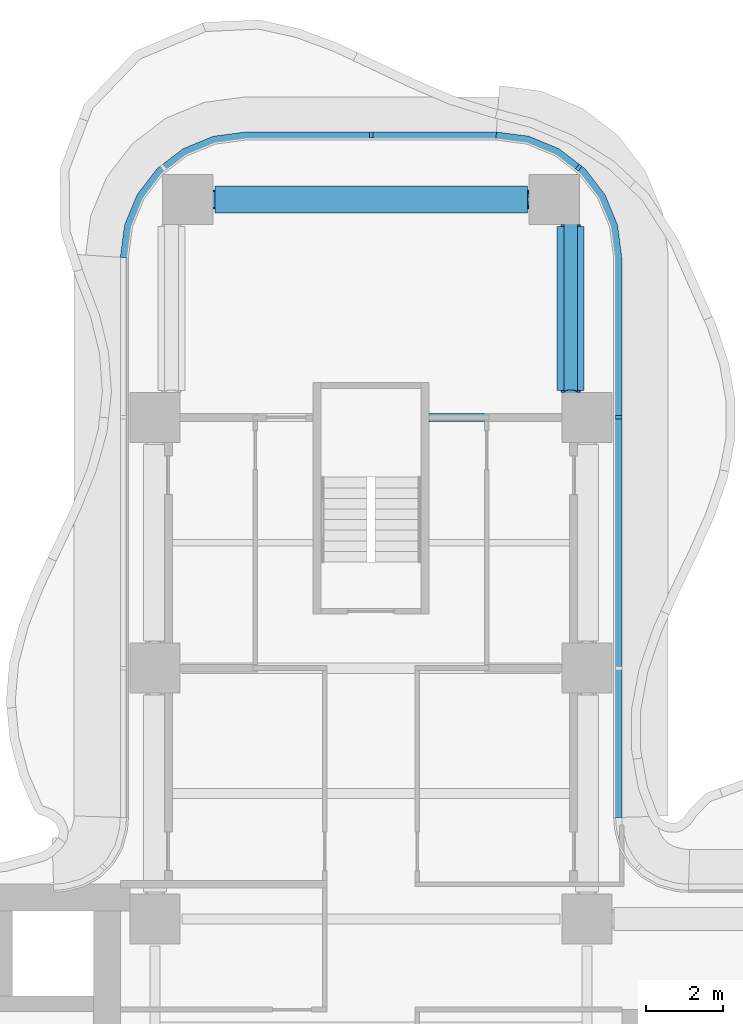
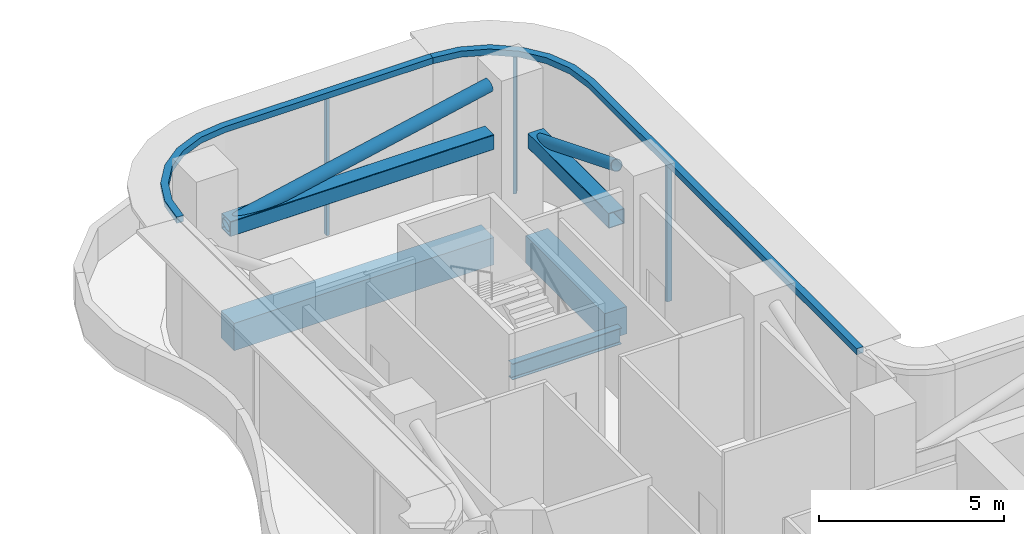
# One storey, part 8 of 20: 7 members, 5 beams, 2 elements without a shape of their own.
"""IFC4 building model written with IfcOpenShell, lengths in metres."""

from ifc_helpers import new_model, si_unit, direction, frame, origin, origin_2d, place, context, subcontext, project, spatial, polyline, rectangle, hollow_rectangle, hollow_circle, i_section, outline, extrude, source, transform, mapped, material, layer, layer_set, material_profile, profile_set, type_object, element, aggregate, save


model = new_model("IFC4")

# Units and contexts
model_context = context("Model", 3, precision=1e-05, world=origin(), true_north=direction((0.0, 1.0)))
body_context = subcontext(model_context, "Body", "Model", "MODEL_VIEW")
ifc_project = project(units=[si_unit("LENGTHUNIT", "METRE"), si_unit("AREAUNIT", "SQUARE_METRE"), si_unit("VOLUMEUNIT", "CUBIC_METRE"), si_unit("PLANEANGLEUNIT", "RADIAN"), si_unit("MASSUNIT", "GRAM", prefix="KILO")], contexts=[model_context])

# Site, building, storey
site_placement = place(None, origin())
site = spatial("IfcSite", under=ifc_project, at=site_placement, CompositionType="ELEMENT")
building_placement = place(site_placement, origin())
building = spatial("IfcBuilding", under=site, at=building_placement, Name="Trellis Farm Tower", CompositionType="ELEMENT")
storey_placement = place(building_placement, frame((0.0, 0.0, 92.5)))
storey = spatial("IfcBuildingStorey", under=building, at=storey_placement, Name="L19", CompositionType="ELEMENT", Elevation=92.5)

# Curtain wall, member
ifc_material_1 = material(Name="Aluminium and glass curtain wall", Category="aluminium")
ifc_layer_1 = layer(ifc_material_1, 0.196044921875)
ifc_layer_set_1 = layer_set([ifc_layer_1], Name="LOUVRED GLASS CURTAIN WALL CW6")
curtain_wall_type = type_object("IfcCurtainWallType", Name="LOUVRED GLASS CURTAIN WALL CW6", PredefinedType="NOTDEFINED", material=ifc_layer_set_1)
placement_1 = place(storey_placement, origin())
curtain_wall_1 = element("IfcCurtainWall", 1, at=placement_1, inside=storey, type_object=curtain_wall_type, Name="CW6 011", PredefinedType="NOTDEFINED")
ifc_material_2 = material(Name="Aluminium extrusion 6063-T6", Category="aluminium")
ifc_layer_2 = layer(ifc_material_2, 0.2099609375)
ifc_layer_set_2 = layer_set([ifc_layer_2], Name="Aluminium extrusion 6063-T6")
member_type_1 = type_object("IfcMemberType", Name="CW6 TRANSOM 210x200", PredefinedType="USERDEFINED", material=ifc_layer_set_2)
placement_2 = place(storey_placement, frame((0.0, 0.0, 4.550048828125)))
member_1 = element("IfcMember", 2, at=placement_2, type_object=member_type_1, Name="TR6 011", ObjectType="TRANSOM", PredefinedType="USERDEFINED", context=body_context, shape_type="SweptSolid", body=[
    extrude(outline(polyline([(6.5, 8.2314453125), (6.5, 22.75), (6.38916015625, 23.591064453125), (6.064697265625, 24.375), (5.548095703125, 25.048095703125), (4.875, 25.564697265625), (4.091064453125, 25.88916015625), (3.25, 26.0), (3.236328125, 25.7900390625), (4.036376953125, 25.6845703125), (4.76904296875, 25.381103515625), (5.3984375, 24.8984375), (5.881103515625, 24.26904296875), (6.1845703125, 23.536376953125), (6.2900390625, 22.736328125), (6.2900390625, 8.224609375), (6.5, 8.2314453125)])), origin(), (0.0, 0.0, 1.0), 0.199951171875),
])

# Beams
ifc_material_3 = material(Name="Steel S355", Category="steel")
ifc_material_profile_1 = material_profile(ifc_material_3, i_section(OverallWidth=0.209228515625, OverallDepth=0.533203125, WebThickness=0.010009765625, FlangeThickness=0.015625, FilletRadius=0.0126953125, at=origin_2d()), Name="UB 533x210x92")
ifc_profile_set_1 = profile_set([ifc_material_profile_1], Name="Steel S355")
beam_type_1 = type_object("IfcBeamType", Name="UB 533x210x92", PredefinedType="BEAM", material=ifc_profile_set_1)
shared_shape_1 = source(origin(), body_context, "Body", "SweptSolid", [
    extrude(i_section(OverallWidth=0.209228515625, OverallDepth=0.533203125, WebThickness=0.010009765625, FlangeThickness=0.015625, FilletRadius=0.0126953125, at=origin_2d()), origin(), (0.0, 0.0, 1.0), 3.39990234375),
])
beam_1_placement = place(storey_placement, frame((1.5, 18.60009765625, -0.56640625), z_axis=(1.0, 0.0, 0.0), x_axis=(0.0, 1.0, 0.0)))
element("IfcBeam", 3, at=beam_1_placement, inside=storey, type_object=beam_type_1, Name="Girder", PredefinedType="BEAM", context=body_context, shape_type="MappedRepresentation", body=[
    mapped(shared_shape_1, transform((0.0, 0.0, 0.0))),
])
ifc_material_4 = material(Name="Concrete C60/75", Category="concrete")
ifc_material_profile_2 = material_profile(ifc_material_4, rectangle(XDim=0.699951171875, YDim=0.89990234375, at=origin_2d()), Name="RC spandrel beam 700x900 C60/75")
ifc_profile_set_2 = profile_set([ifc_material_profile_2], Name="Concrete C60/75")
beam_type_2 = type_object("IfcBeamType", Name="RC spandrel beam 700x900 C60/75", PredefinedType="SPANDREL", material=ifc_profile_set_2)
shared_shape_2 = source(origin(), body_context, "Body", "SweptSolid", [
    extrude(rectangle(XDim=0.699951171875, YDim=0.89990234375, at=origin_2d()), origin(), (0.0, 0.0, 1.0), 4.25),
])
beam_2_placement = place(storey_placement, frame((5.175048828125, 19.300048828125, -0.75), z_axis=(0.0, 1.0, 0.0), x_axis=(-1.0, 0.0, 0.0)))
element("IfcBeam", 4, at=beam_2_placement, inside=storey, type_object=beam_type_2, Name="Girder", PredefinedType="SPANDREL", context=body_context, shape_type="MappedRepresentation", body=[
    mapped(shared_shape_2, transform((0.0, 0.0, 0.0))),
])
shared_shape_3 = source(origin(), body_context, "Body", "SweptSolid", [
    extrude(rectangle(XDim=0.699951171875, YDim=0.89990234375, at=origin_2d()), origin(), (0.0, 0.0, 1.0), 8.10009765625),
])
beam_3_placement = place(storey_placement, frame((-4.050048828125, 24.25, -0.75), z_axis=(1.0, 0.0, 0.0), x_axis=(0.0, 1.0, 0.0)))
element("IfcBeam", 5, at=beam_3_placement, inside=storey, type_object=beam_type_2, Name="Girder", PredefinedType="SPANDREL", context=body_context, shape_type="MappedRepresentation", body=[
    mapped(shared_shape_3, transform((0.0, 0.0, 0.0))),
])
ifc_material_profile_3 = material_profile(ifc_material_3, hollow_rectangle(XDim=0.5, YDim=0.5, WallThickness=0.02001953125, InnerFilletRadius=0.02001953125, OuterFilletRadius=0.030029296875, at=origin_2d()), Name="SHS 500x500x20")
ifc_profile_set_3 = profile_set([ifc_material_profile_3], Name="Steel S355")
beam_type_3 = type_object("IfcBeamType", Name="SHS 500x500x20", PredefinedType="BEAM", material=ifc_profile_set_3)
shared_shape_4 = source(origin(), body_context, "Body", "SweptSolid", [
    extrude(hollow_rectangle(XDim=0.5, YDim=0.5, WallThickness=0.02001953125, InnerFilletRadius=0.02001953125, OuterFilletRadius=0.030029296875, at=origin_2d()), origin(), (0.0, 0.0, 1.0), 4.35009765625),
])
beam_4_placement = place(storey_placement, frame((5.175048828125, 19.25, 2.75), z_axis=(0.0, 1.0, 0.0), x_axis=(-1.0, 0.0, 0.0)))
element("IfcBeam", 6, at=beam_4_placement, inside=storey, type_object=beam_type_3, Name="Outrigger truss chord SHS 500x500x20", PredefinedType="BEAM", context=body_context, shape_type="MappedRepresentation", body=[
    mapped(shared_shape_4, transform((0.0, 0.0, 0.0))),
])
shared_shape_5 = source(origin(), body_context, "Body", "SweptSolid", [
    extrude(hollow_rectangle(XDim=0.5, YDim=0.5, WallThickness=0.02001953125, InnerFilletRadius=0.02001953125, OuterFilletRadius=0.030029296875, at=origin_2d()), origin(), (0.0, 0.0, 1.0), 8.2001953125),
])
beam_5_placement = place(storey_placement, frame((-4.10009765625, 24.25, 2.75), z_axis=(1.0, 0.0, 0.0), x_axis=(0.0, 1.0, 0.0)))
element("IfcBeam", 7, at=beam_5_placement, inside=storey, type_object=beam_type_3, Name="Belt truss chord SHS 500x500x20", PredefinedType="BEAM", context=body_context, shape_type="MappedRepresentation", body=[
    mapped(shared_shape_5, transform((0.0, 0.0, 0.0))),
])

# Members
ifc_material_profile_4 = material_profile(ifc_material_3, hollow_circle(Radius=0.177734375, WallThickness=0.01611328125, at=origin_2d()), Name="CHS 355.6x16")
ifc_profile_set_4 = profile_set([ifc_material_profile_4], Name="Steel S355")
member_type_2 = type_object("IfcMemberType", Name="CHS 355.6x16 brace", PredefinedType="BRACE", material=ifc_profile_set_4)
shared_shape_6 = source(origin(), body_context, "Body", "SweptSolid", [
    extrude(hollow_circle(Radius=0.177734375, WallThickness=0.01611328125, at=origin_2d()), origin(), (0.0, 0.0, 1.0), 4.68896484375),
])
member_2_placement = place(storey_placement, frame((5.175048828125, 23.60009765625, 2.75), z_axis=(0.0, -0.927742346061, 0.373221300739), x_axis=(1.0, 0.0, 0.0)))
element("IfcMember", 8, at=member_2_placement, inside=storey, type_object=member_type_2, Name="Outrigger truss diagonal CHS 355.6x16", PredefinedType="BRACE", context=body_context, shape_type="MappedRepresentation", body=[
    mapped(shared_shape_6, transform((0.0, 0.0, 0.0))),
])
ifc_material_profile_5 = material_profile(ifc_material_3, hollow_circle(Radius=0.203125, WallThickness=0.01611328125, at=origin_2d()), Name="CHS 406.4x16")
ifc_profile_set_5 = profile_set([ifc_material_profile_5], Name="Steel S355")
member_type_3 = type_object("IfcMemberType", Name="CHS 406.4x16 brace", PredefinedType="BRACE", material=ifc_profile_set_5)
shared_shape_7 = source(origin(), body_context, "Body", "SweptSolid", [
    extrude(hollow_circle(Radius=0.203125, WallThickness=0.01611328125, at=origin_2d()), origin(), (0.0, 0.0, 1.0), 8.384765625),
])
member_3_placement = place(storey_placement, frame((-4.10009765625, 24.25, 2.75), z_axis=(0.97797762433, 0.0, 0.208709765726), x_axis=(0.0, 1.0, 0.0)))
element("IfcMember", 9, at=member_3_placement, inside=storey, type_object=member_type_3, Name="Belt truss diagonal CHS 406.4x16", PredefinedType="BRACE", context=body_context, shape_type="MappedRepresentation", body=[
    mapped(shared_shape_7, transform((0.0, 0.0, 0.0))),
])

# Member
ifc_material_profile_6 = material_profile(ifc_material_2, rectangle(XDim=0.090087890625, YDim=0.159912109375, at=origin_2d()), Name="MULLION 90x160")
ifc_profile_set_6 = profile_set([ifc_material_profile_6], Name="Aluminium extrusion 6063-T6")
member_type_4 = type_object("IfcMemberType", Name="CW6 MULLION 90x160", PredefinedType="MULLION", material=ifc_profile_set_6)
shared_shape_8 = source(origin(), body_context, "Body", "SweptSolid", [
    extrude(rectangle(XDim=0.090087890625, YDim=0.159912109375, at=origin_2d()), origin(), (0.0, 0.0, 1.0), 4.550048828125),
])
member_4_placement = place(storey_placement, frame((6.419921875, 18.60009765625, 0.0), z_axis=(0.0, 0.0, 1.0), x_axis=(0.0, 1.0, 0.0)))
member_4 = element("IfcMember", 10, at=member_4_placement, type_object=member_type_4, Name="MU6 011-02", PredefinedType="MULLION", context=body_context, shape_type="MappedRepresentation", body=[
    mapped(shared_shape_8, transform((0.0, 0.0, 0.0))),
])

member_5_placement = place(storey_placement, frame((5.382568359375, 25.07421875, 0.0), z_axis=(0.0, 0.0, 1.0), x_axis=(-0.793353340291, 0.608761429009, 0.0)))
member_5 = element("IfcMember", 11, at=member_5_placement, type_object=member_type_4, Name="MU6 011-03", PredefinedType="MULLION", context=body_context, shape_type="MappedRepresentation", body=[
    mapped(shared_shape_8, transform((0.0, 0.0, 0.0))),
])

aggregate(curtain_wall_1, [member_4, member_5, member_1])

# Curtain wall, members
curtain_wall_2 = element("IfcCurtainWall", 12, at=placement_1, inside=storey, type_object=curtain_wall_type, Name="CW6 012", PredefinedType="NOTDEFINED")
member_6_placement = place(storey_placement, frame((0.0, 25.919921875, 0.0), z_axis=(0.0, 0.0, 1.0), x_axis=(-1.0, 0.0, 0.0)))
member_6 = element("IfcMember", 13, at=member_6_placement, type_object=member_type_4, Name="MU6 012-01", PredefinedType="MULLION", context=body_context, shape_type="MappedRepresentation", body=[
    mapped(shared_shape_8, transform((0.0, 0.0, 0.0))),
])
shared_shape_9 = source(origin(), body_context, "Body", "SweptSolid", [
    extrude(outline(polyline([(3.25, 26.0), (-3.25, 26.0), (-4.091064453125, 25.88916015625), (-4.875, 25.564697265625), (-5.548095703125, 25.048095703125), (-6.064697265625, 24.375), (-6.38916015625, 23.591064453125), (-6.5, 22.75), (-6.2900390625, 22.736328125), (-6.1845703125, 23.536376953125), (-5.881103515625, 24.26904296875), (-5.3984375, 24.8984375), (-4.76904296875, 25.381103515625), (-4.036376953125, 25.6845703125), (-3.236328125, 25.7900390625), (3.236328125, 25.7900390625), (3.25, 26.0)])), origin(), (0.0, 0.0, 1.0), 0.199951171875),
])
member_7 = element("IfcMember", 14, at=placement_2, type_object=member_type_1, Name="TR6 012", ObjectType="TRANSOM", PredefinedType="USERDEFINED", context=body_context, shape_type="MappedRepresentation", body=[
    mapped(shared_shape_9, transform((0.0, 0.0, 0.0))),
])
aggregate(curtain_wall_2, [member_6, member_7])

save(model, "model.ifc")
